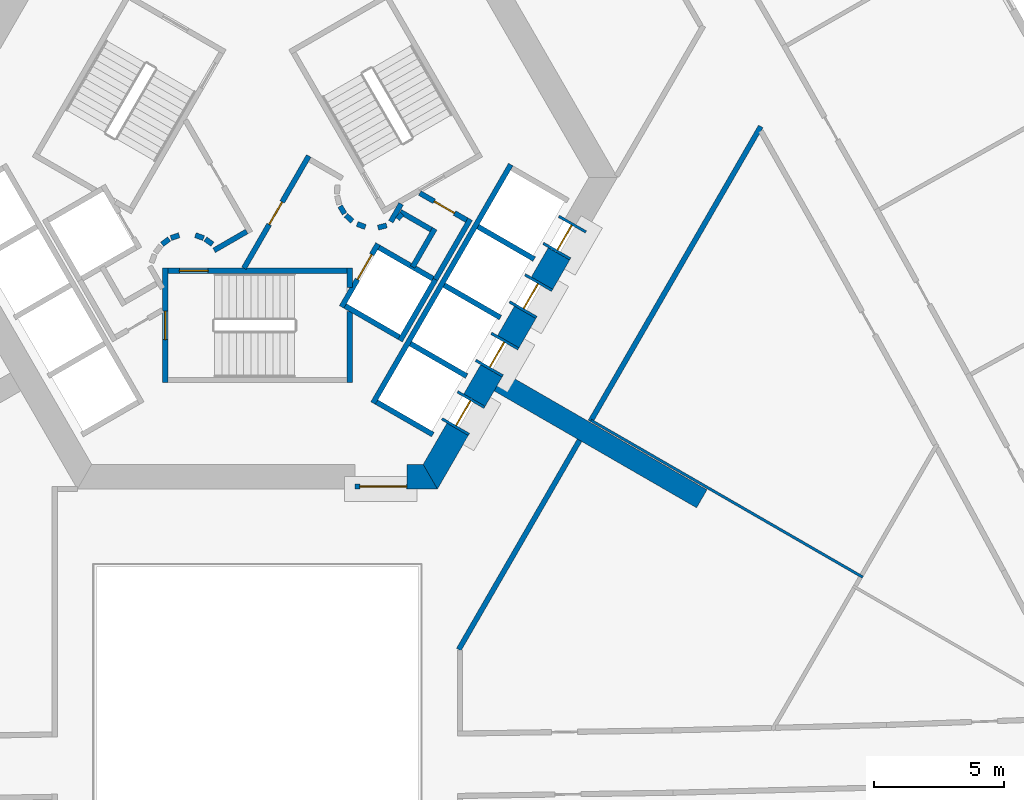
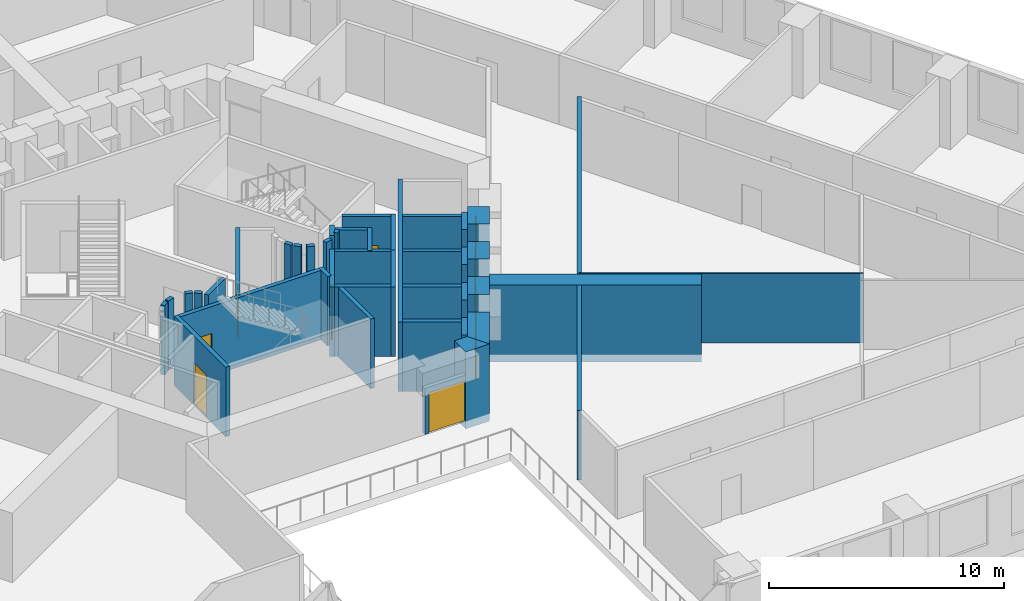
# One storey, part 6 of 15: 43 walls, 10 doors, 10 openings.
"""IFC4 building model written with IfcOpenShell, lengths in metres."""

from ifc_helpers import new_model, si_unit, direction, frame, frame_2d, origin, place, context, subcontext, project, spatial, polyline, rectangle, outline, extrude, material, layer, layer_set, type_object, element, fill, save


model = new_model("IFC4")

# Units and contexts
model_context = context("Model", 3, precision=1e-05, world=origin(), true_north=direction((0.0, 1.0)))
body_context = subcontext(model_context, "Body", "Model", "MODEL_VIEW")
ifc_project = project(units=[si_unit("LENGTHUNIT", "METRE"), si_unit("AREAUNIT", "SQUARE_METRE"), si_unit("VOLUMEUNIT", "CUBIC_METRE"), si_unit("PLANEANGLEUNIT", "RADIAN"), si_unit("MASSUNIT", "GRAM", prefix="KILO")], contexts=[model_context])

# Site, building, storey
site_placement = place(None, origin())
site = spatial("IfcSite", under=ifc_project, at=site_placement, CompositionType="ELEMENT")
building_placement = place(site_placement, origin())
building = spatial("IfcBuilding", under=site, at=building_placement, Name="Entoto Arch Interchange Tower", CompositionType="ELEMENT")
storey_placement = place(building_placement, frame((0.0, 0.0, 77.0)))
storey = spatial("IfcBuildingStorey", under=building, at=storey_placement, Name="L16", CompositionType="ELEMENT", Elevation=77.0)

# Wall
ifc_material_1 = material(Name="Concrete C60/75", Category="concrete")
ifc_layer_1 = layer(ifc_material_1, 0.800048828125)
ifc_layer_set_1 = layer_set([ifc_layer_1], Name="Concrete C60/75")
wall_type_1 = type_object("IfcWallType", Name="Buttress wall 800 C60/75", PredefinedType="SHEAR", material=ifc_layer_set_1)
wall_1_placement = place(storey_placement, frame((9.31005859375, -5.375, -0.39990234375), z_axis=(0.0, 0.0, 1.0), x_axis=(0.866017533419, -0.500013631625, 0.0)))
element("IfcWall", 1, at=wall_1_placement, inside=storey, type_object=wall_type_1, Name="Buttress wall SE L16", PredefinedType="SHEAR", context=body_context, shape_type="SweptSolid", body=[
    extrude(rectangle(XDim=8.999755859375, YDim=0.800048828125, at=frame_2d((4.5, 0.0))), origin(), (0.0, 0.0, 1.0), 4.0),
])

# Wall, opening, door
ifc_material_2 = material(Name="Reinforced concrete C40/50", Category="concrete")
ifc_layer_2 = layer(ifc_material_2, 0.199951171875)
ifc_layer_set_2 = layer_set([ifc_layer_2], Name="Reinforced concrete C40/50")
wall_type_2 = type_object("IfcWallType", Name="CORE GAP INFILL WALL", PredefinedType="PARTITIONING", material=ifc_layer_set_2)
wall_2_placement = place(storey_placement, frame((3.75, -9.39990234375, 0.0), z_axis=(0.0, 0.0, 1.0), x_axis=(1.0, 0.0, 0.0)))
wall_2 = element("IfcWall", 2, at=wall_2_placement, inside=storey, type_object=wall_type_2, Name="wall:L16:gap1", PredefinedType="PARTITIONING", context=body_context, shape_type="SweptSolid", body=[
    extrude(rectangle(XDim=2.0, YDim=0.199951171875, at=frame_2d((1.0, 0.0))), origin(), (0.0, 0.0, 1.0), 2.39990234375),
])
opening_1_placement = place(wall_2_placement, frame((0.18994140625, 0.0, 0.0)))
opening_1 = element("IfcOpeningElement", 3, at=opening_1_placement, cuts=wall_2, Name="Opening L16-D91", PredefinedType="OPENING", context=body_context, shape_type="SweptSolid", body=[
    extrude(rectangle(XDim=1.800048828125, YDim=2.10009765625, at=frame_2d((0.89990234375, 1.050048828125))), frame((0.0, 0.10986328125, 0.0), z_axis=(0.0, -1.0, 0.0), x_axis=(1.0, 0.0, 0.0)), (0.0, 0.0, 1.0), 0.219970703125),
])
ifc_material_3 = material(Name="Fire-rated Steel S235 door and frame", Category="steel")
door_type_1 = type_object("IfcDoorType", Name="DOOR FD-18 1800x2100", OperationType="DOUBLE_DOOR_SINGLE_SWING", PredefinedType="DOOR", material=ifc_material_3)
door_1_placement = place(opening_1_placement, origin())
door_1 = element("IfcDoor", 4, at=door_1_placement, inside=storey, type_object=door_type_1, Name="door:L16:gap1", OperationType="DOUBLE_DOOR_SINGLE_SWING", OverallHeight=2.10009765625, OverallWidth=1.800048828125, PredefinedType="DOOR", context=body_context, shape_type="SweptSolid", body=[
    extrude(rectangle(XDim=1.800048828125, YDim=2.10009765625, at=frame_2d((0.89990234375, 1.050048828125))), frame((0.0, 0.02490234375, 0.0), z_axis=(0.0, -1.0, 0.0), x_axis=(1.0, 0.0, 0.0)), (0.0, 0.0, 1.0), 0.050048828125),
])
fill(opening_1, door_1)

# Walls
ifc_layer_3 = layer(ifc_material_1, 0.949951171875)
ifc_layer_set_3 = layer_set([ifc_layer_3], Name="Concrete C60/75")
wall_type_3 = type_object("IfcWallType", Name="Core wall 950 C60/75", PredefinedType="SHEAR", material=ifc_layer_set_3)
wall_3_placement = place(storey_placement, frame((0.0, 0.0, -0.39990234375)))
element("IfcWall", 5, at=wall_3_placement, inside=storey, type_object=wall_type_3, Name="Core wall S L16", PredefinedType="SHEAR", context=body_context, shape_type="SweptSolid", body=[
    extrude(outline(polyline([(5.75, -8.550048828125), (5.75, -9.5), (6.927978515625, -9.5), (6.3798828125, -8.550048828125), (5.75, -8.550048828125)])), origin(), (0.0, 0.0, 1.0), 4.0),
])
wall_4_placement = place(storey_placement, frame((0.0, 0.0, -0.39990234375)))
element("IfcWall", 6, at=wall_4_placement, inside=storey, type_object=wall_type_3, Name="Core wall SE L16", PredefinedType="SHEAR", context=body_context, shape_type="SweptSolid", body=[
    extrude(outline(polyline([(8.116943359375, -7.43994140625), (7.294921875, -6.965087890625), (6.3798828125, -8.550048828125), (6.927978515625, -9.5), (8.116943359375, -7.43994140625)])), origin(), (0.0, 0.0, 1.0), 4.0),
])
wall_5_placement = place(storey_placement, frame((0.0, 0.0, -0.39990234375)))
element("IfcWall", 7, at=wall_5_placement, inside=storey, type_object=wall_type_3, Name="Core wall SE L16", PredefinedType="SHEAR", context=body_context, shape_type="SweptSolid", body=[
    extrude(outline(polyline([(9.4169921875, -5.18896484375), (8.593994140625, -4.714111328125), (7.945068359375, -5.839111328125), (8.76708984375, -6.31396484375), (9.4169921875, -5.18896484375)])), origin(), (0.0, 0.0, 1.0), 4.0),
])
wall_6_placement = place(storey_placement, frame((0.0, 0.0, -0.39990234375)))
element("IfcWall", 8, at=wall_6_placement, inside=storey, type_object=wall_type_3, Name="Core wall SE L16", PredefinedType="SHEAR", context=body_context, shape_type="SweptSolid", body=[
    extrude(outline(polyline([(10.717041015625, -2.93701171875), (9.89404296875, -2.4619140625), (9.243896484375, -3.587890625), (10.06689453125, -4.06298828125), (10.717041015625, -2.93701171875)])), origin(), (0.0, 0.0, 1.0), 4.0),
])
wall_7_placement = place(storey_placement, frame((0.0, 0.0, -0.39990234375)))
element("IfcWall", 9, at=wall_7_placement, inside=storey, type_object=wall_type_3, Name="Core wall SE L16", PredefinedType="SHEAR", context=body_context, shape_type="SweptSolid", body=[
    extrude(outline(polyline([(12.01708984375, -0.68603515625), (11.194091796875, -0.2109375), (10.5439453125, -1.3359375), (11.366943359375, -1.81103515625), (12.01708984375, -0.68603515625)])), origin(), (0.0, 0.0, 1.0), 4.0),
])

# Wall, opening, door
ifc_material_4 = material(Name="Concrete C40/50", Category="concrete")
ifc_layer_4 = layer(ifc_material_4, 1.199951171875)
ifc_layer_set_4 = layer_set([ifc_layer_4], Name="Concrete C40/50")
wall_type_4 = type_object("IfcWallType", Name="LIFT LANDING INFILL WALL", PredefinedType="STANDARD", material=ifc_layer_set_4)
wall_8_placement = place(storey_placement, frame((7.597900390625, -7.139892578125, 0.0), z_axis=(0.0, 0.0, 1.0), x_axis=(0.500362116554, 0.865816234728, 0.0)))
wall_8 = element("IfcWall", 10, at=wall_8_placement, inside=storey, type_object=wall_type_4, Name="Lift landing infill wall LR5 L16", PredefinedType="STANDARD", context=body_context, shape_type="SweptSolid", body=[
    extrude(rectangle(XDim=1.29931640625, YDim=1.199951171875, at=frame_2d((0.649658203125, 0.0))), origin(), (0.0, 0.0, 1.0), 2.39990234375),
])
opening_2_placement = place(wall_8_placement, frame((0.10009765625, 0.0, 0.0)))
opening_2 = element("IfcOpeningElement", 11, at=opening_2_placement, cuts=wall_8, Name="Opening LD-LR5-L16", PredefinedType="OPENING", context=body_context, shape_type="SweptSolid", body=[
    extrude(rectangle(XDim=1.10009765625, YDim=2.300048828125, at=frame_2d((0.550048828125, 1.14990234375))), frame((0.0, 0.60986328125, 0.0), z_axis=(0.0, -1.0, 0.0), x_axis=(1.0, 0.0, 0.0)), (0.0, 0.0, 1.0), 1.219970703125),
])
ifc_material_5 = material(Name="Stainless steel 1.4301 panels", Category="steel")
door_type_2 = type_object("IfcDoorType", Name="LIFT LANDING DOOR LD2 1100x2300", OperationType="SLIDING_TO_LEFT", PredefinedType="DOOR", material=ifc_material_5)
door_2_placement = place(opening_2_placement, origin())
door_2 = element("IfcDoor", 12, at=door_2_placement, inside=storey, type_object=door_type_2, Name="Lift landing door LR5 L16", OperationType="SLIDING_TO_LEFT", OverallHeight=2.300048828125, OverallWidth=1.10009765625, PredefinedType="DOOR", context=body_context, shape_type="SweptSolid", body=[
    extrude(rectangle(XDim=1.10009765625, YDim=2.300048828125, at=frame_2d((0.550048828125, 1.14990234375))), frame((0.0, 0.02490234375, 0.0), z_axis=(0.0, -1.0, 0.0), x_axis=(1.0, 0.0, 0.0)), (0.0, 0.0, 1.0), 0.050048828125),
])
fill(opening_2, door_2)

wall_9_placement = place(storey_placement, frame((8.89794921875, -4.888916015625, 0.0), z_axis=(0.0, 0.0, 1.0), x_axis=(0.500036693733, 0.866004217611, 0.0)))
wall_9 = element("IfcWall", 13, at=wall_9_placement, inside=storey, type_object=wall_type_4, Name="Lift landing infill wall LR6 L16", PredefinedType="STANDARD", context=body_context, shape_type="SweptSolid", body=[
    extrude(rectangle(XDim=1.30029296875, YDim=1.199951171875, at=frame_2d((0.650146484375, 0.0))), origin(), (0.0, 0.0, 1.0), 2.39990234375),
])
opening_3_placement = place(wall_9_placement, frame((0.10009765625, 0.0, 0.0)))
opening_3 = element("IfcOpeningElement", 14, at=opening_3_placement, cuts=wall_9, Name="Opening LD-LR6-L16", PredefinedType="OPENING", context=body_context, shape_type="SweptSolid", body=[
    extrude(rectangle(XDim=1.10009765625, YDim=2.300048828125, at=frame_2d((0.550048828125, 1.14990234375))), frame((0.0, 0.60986328125, 0.0), z_axis=(0.0, -1.0, 0.0), x_axis=(1.0, 0.0, 0.0)), (0.0, 0.0, 1.0), 1.219970703125),
])
door_3_placement = place(opening_3_placement, origin())
door_3 = element("IfcDoor", 15, at=door_3_placement, inside=storey, type_object=door_type_2, Name="Lift landing door LR6 L16", OperationType="SLIDING_TO_LEFT", OverallHeight=2.300048828125, OverallWidth=1.10009765625, PredefinedType="DOOR", context=body_context, shape_type="SweptSolid", body=[
    extrude(rectangle(XDim=1.10009765625, YDim=2.300048828125, at=frame_2d((0.550048828125, 1.14990234375))), frame((0.0, 0.02490234375, 0.0), z_axis=(0.0, -1.0, 0.0), x_axis=(1.0, 0.0, 0.0)), (0.0, 0.0, 1.0), 0.050048828125),
])
fill(opening_3, door_3)

wall_10_placement = place(storey_placement, frame((10.197998046875, -2.636962890625, 0.0), z_axis=(0.0, 0.0, 1.0), x_axis=(0.49989585183, 0.866085525409, 0.0)))
wall_10 = element("IfcWall", 16, at=wall_10_placement, inside=storey, type_object=wall_type_4, Name="Lift landing infill wall LR7 L16", PredefinedType="STANDARD", context=body_context, shape_type="SweptSolid", body=[
    extrude(rectangle(XDim=1.300048828125, YDim=1.199951171875, at=frame_2d((0.64990234375, 0.0))), origin(), (0.0, 0.0, 1.0), 2.39990234375),
])
opening_4_placement = place(wall_10_placement, frame((0.10009765625, 0.0, 0.0)))
opening_4 = element("IfcOpeningElement", 17, at=opening_4_placement, cuts=wall_10, Name="Opening LD-LR7-L16", PredefinedType="OPENING", context=body_context, shape_type="SweptSolid", body=[
    extrude(rectangle(XDim=1.10009765625, YDim=2.300048828125, at=frame_2d((0.550048828125, 1.14990234375))), frame((0.0, 0.60986328125, 0.0), z_axis=(0.0, -1.0, 0.0), x_axis=(1.0, 0.0, 0.0)), (0.0, 0.0, 1.0), 1.219970703125),
])
door_4_placement = place(opening_4_placement, origin())
door_4 = element("IfcDoor", 18, at=door_4_placement, inside=storey, type_object=door_type_2, Name="Lift landing door LR7 L16", OperationType="SLIDING_TO_LEFT", OverallHeight=2.300048828125, OverallWidth=1.10009765625, PredefinedType="DOOR", context=body_context, shape_type="SweptSolid", body=[
    extrude(rectangle(XDim=1.10009765625, YDim=2.300048828125, at=frame_2d((0.550048828125, 1.14990234375))), frame((0.0, 0.02490234375, 0.0), z_axis=(0.0, -1.0, 0.0), x_axis=(1.0, 0.0, 0.0)), (0.0, 0.0, 1.0), 0.050048828125),
])
fill(opening_4, door_4)

wall_11_placement = place(storey_placement, frame((11.498046875, -0.385009765625, 0.0), z_axis=(0.0, 0.0, 1.0), x_axis=(0.500221244143, 0.865897630733, 0.0)))
wall_11 = element("IfcWall", 19, at=wall_11_placement, inside=storey, type_object=wall_type_4, Name="Lift landing infill wall LR8 L16", PredefinedType="STANDARD", context=body_context, shape_type="SweptSolid", body=[
    extrude(rectangle(XDim=1.29931640625, YDim=1.199951171875, at=frame_2d((0.649658203125, 0.0))), origin(), (0.0, 0.0, 1.0), 2.39990234375),
])
opening_5_placement = place(wall_11_placement, frame((0.10009765625, 0.0, 0.0)))
opening_5 = element("IfcOpeningElement", 20, at=opening_5_placement, cuts=wall_11, Name="Opening LD-LR8-L16", PredefinedType="OPENING", context=body_context, shape_type="SweptSolid", body=[
    extrude(rectangle(XDim=1.10009765625, YDim=2.300048828125, at=frame_2d((0.550048828125, 1.14990234375))), frame((0.0, 0.60986328125, 0.0), z_axis=(0.0, -1.0, 0.0), x_axis=(1.0, 0.0, 0.0)), (0.0, 0.0, 1.0), 1.219970703125),
])
door_5_placement = place(opening_5_placement, origin())
door_5 = element("IfcDoor", 21, at=door_5_placement, inside=storey, type_object=door_type_2, Name="Lift landing door LR8 L16", OperationType="SLIDING_TO_LEFT", OverallHeight=2.300048828125, OverallWidth=1.10009765625, PredefinedType="DOOR", context=body_context, shape_type="SweptSolid", body=[
    extrude(rectangle(XDim=1.10009765625, YDim=2.300048828125, at=frame_2d((0.550048828125, 1.14990234375))), frame((0.0, 0.02490234375, 0.0), z_axis=(0.0, -1.0, 0.0), x_axis=(1.0, 0.0, 0.0)), (0.0, 0.0, 1.0), 0.050048828125),
])
fill(opening_5, door_5)

ifc_layer_5 = layer(ifc_material_4, 0.199951171875)
ifc_layer_set_5 = layer_set([ifc_layer_5], Name="Concrete C40/50")
wall_type_5 = type_object("IfcWallType", Name="LIFT SHAFT WALL 200", PredefinedType="STANDARD", material=ifc_layer_set_5)
wall_12_placement = place(storey_placement, frame((3.239990234375, -2.488037109375, 0.0), z_axis=(0.0, 0.0, 1.0), x_axis=(0.49994636267, 0.866056369097, 0.0)))
wall_12 = element("IfcWall", 22, at=wall_12_placement, inside=storey, type_object=wall_type_5, Name="Shaft wall SE1 front", PredefinedType="STANDARD", context=body_context, shape_type="SweptSolid", body=[
    extrude(rectangle(XDim=2.800048828125, YDim=0.199951171875, at=frame_2d((1.39990234375, 0.0))), origin(), (0.0, 0.0, 1.0), 3.60009765625),
])
opening_6_placement = place(wall_12_placement, frame((1.22509765625, 0.0, 0.0)))
opening_6 = element("IfcOpeningElement", 23, at=opening_6_placement, cuts=wall_12, Name="Opening LD-FF1-L16", PredefinedType="OPENING", context=body_context, shape_type="SweptSolid", body=[
    extrude(rectangle(XDim=1.10009765625, YDim=2.10009765625, at=frame_2d((0.550048828125, 1.050048828125))), frame((0.0, 0.10986328125, 0.0), z_axis=(0.0, -1.0, 0.0), x_axis=(1.0, 0.0, 0.0)), (0.0, 0.0, 1.0), 0.219970703125),
])
door_type_3 = type_object("IfcDoorType", Name="LIFT LANDING DOOR LD1 1100x2100", OperationType="SLIDING_TO_LEFT", PredefinedType="DOOR", material=ifc_material_5)
door_6_placement = place(opening_6_placement, origin())
door_6 = element("IfcDoor", 24, at=door_6_placement, inside=storey, type_object=door_type_3, Name="Lift landing door FF1 L16", OperationType="SLIDING_TO_LEFT", OverallHeight=2.10009765625, OverallWidth=1.10009765625, PredefinedType="DOOR", context=body_context, shape_type="SweptSolid", body=[
    extrude(rectangle(XDim=1.10009765625, YDim=2.10009765625, at=frame_2d((0.550048828125, 1.050048828125))), frame((0.0, 0.02490234375, 0.0), z_axis=(0.0, -1.0, 0.0), x_axis=(1.0, 0.0, 0.0)), (0.0, 0.0, 1.0), 0.050048828125),
])
fill(opening_6, door_6)

# Walls
wall_13_placement = place(storey_placement, frame((5.491943359375, -3.7880859375, 0.0), z_axis=(0.0, 0.0, 1.0), x_axis=(0.500011755427, 0.866018616679, 0.0)))
element("IfcWall", 25, at=wall_13_placement, inside=storey, type_object=wall_type_5, Name="Shaft wall SE1 back", PredefinedType="STANDARD", context=body_context, shape_type="SweptSolid", body=[
    extrude(rectangle(XDim=2.80029296875, YDim=0.199951171875, at=frame_2d((1.400146484375, 0.0))), origin(), (0.0, 0.0, 1.0), 3.60009765625),
])
wall_14_placement = place(storey_placement, frame((3.376953125, -2.451904296875, 0.0), z_axis=(0.0, 0.0, 1.0), x_axis=(0.865955154139, -0.50012165622, 0.0)))
element("IfcWall", 26, at=wall_14_placement, inside=storey, type_object=wall_type_5, Name="Shaft wall SE1 cross 1", PredefinedType="STANDARD", context=body_context, shape_type="SweptSolid", body=[
    extrude(rectangle(XDim=2.39990234375, YDim=0.199951171875, at=frame_2d((1.199951171875, 0.0))), origin(), (0.0, 0.0, 1.0), 3.60009765625),
])
wall_15_placement = place(storey_placement, frame((4.677001953125, -0.199951171875, 0.0), z_axis=(0.0, 0.0, 1.0), x_axis=(0.865973769406, -0.500089422704, 0.0)))
element("IfcWall", 27, at=wall_15_placement, inside=storey, type_object=wall_type_5, Name="Shaft wall SE1 cross 2", PredefinedType="STANDARD", context=body_context, shape_type="SweptSolid", body=[
    extrude(rectangle(XDim=2.3994140625, YDim=0.199951171875, at=frame_2d((1.19970703125, 0.0))), origin(), (0.0, 0.0, 1.0), 3.60009765625),
])
wall_16_placement = place(storey_placement, frame((4.450927734375, -6.18994140625, 0.0), z_axis=(0.0, 0.0, 1.0), x_axis=(0.50000090737, 0.866024879913, 0.0)))
element("IfcWall", 28, at=wall_16_placement, inside=storey, type_object=wall_type_5, Name="Shaft wall SE3 front", PredefinedType="STANDARD", context=body_context, shape_type="SweptSolid", body=[
    extrude(rectangle(XDim=10.60009765625, YDim=0.199951171875, at=frame_2d((5.300048828125, 0.0))), origin(), (0.0, 0.0, 1.0), 3.60009765625),
])
for number, where, z_axis, x_axis, name in (
    (29, (4.587890625, -6.153076171875, 0.0), (0.0, 0.0, 1.0), (0.866022959057, -0.500004234368, 0.0), "Shaft wall SE3 cross 1"),
    (30, (5.887939453125, -3.902099609375, 0.0), (0.0, 0.0, 1.0), (0.866022959057, -0.500004234368, 0.0), "Shaft wall SE3 cross 2"),
    (31, (7.18798828125, -1.64990234375, 0.0), (0.0, 0.0, 1.0), (0.866022959057, -0.500004234368, 0.0), "Shaft wall SE3 cross 3"),
    (32, (8.488037109375, 0.60205078125, 0.0), (0.0, 0.0, 1.0), (0.866022959057, -0.500004234368, 0.0), "Shaft wall SE3 cross 4"),
):
    element("IfcWall", number, at=place(storey_placement, frame(where, z_axis=z_axis, x_axis=x_axis)), inside=storey, type_object=wall_type_5, Name=name, PredefinedType="STANDARD", context=body_context, shape_type="SweptSolid", body=[
        extrude(rectangle(XDim=2.5, YDim=0.199951171875, at=frame_2d((1.25, 0.0))), origin(), (0.0, 0.0, 1.0), 3.60009765625),
    ])
ifc_material_6 = material(Name="Gypsum board partition on steel studs", Category="steel")
ifc_layer_6 = layer(ifc_material_6, 0.10009765625)
ifc_layer_set_6 = layer_set([ifc_layer_6], Name="Gypsum board partition on steel studs")
wall_type_6 = type_object("IfcWallType", Name="PARTITION 100", PredefinedType="PARTITIONING", material=ifc_layer_set_6)
wall_17_placement = place(storey_placement, frame((12.843017578125, -6.85498046875, 0.0), z_axis=(0.0, 0.0, 1.0), x_axis=(0.866054959007, -0.499948805358, 0.0)))
element("IfcWall", 33, at=wall_17_placement, inside=storey, type_object=wall_type_6, Name="wall:L16:p127", PredefinedType="PARTITIONING", context=body_context, shape_type="SweptSolid", body=[
    extrude(rectangle(XDim=12.075439453125, YDim=0.10009765625, at=frame_2d((6.03759765625, 0.0))), origin(), (0.0, 0.0, 1.0), 3.60009765625),
])
ifc_layer_7 = layer(ifc_material_6, 0.199951171875)
ifc_layer_set_7 = layer_set([ifc_layer_7], Name="Gypsum board partition on steel studs")
wall_type_7 = type_object("IfcWallType", Name="PARTITION 200", PredefinedType="PARTITIONING", material=ifc_layer_set_7)
wall_18_placement = place(storey_placement, frame((5.389892578125, 0.89794921875, 0.0), z_axis=(0.0, 0.0, 1.0), x_axis=(0.673828488714, 0.738887791073, 0.0)))
element("IfcWall", 34, at=wall_18_placement, inside=storey, type_object=wall_type_7, Name="wall:L16:p079", PredefinedType="PARTITIONING", context=body_context, shape_type="SweptSolid", body=[
    extrude(rectangle(XDim=0.2626953125, YDim=0.199951171875, at=frame_2d((0.13134765625, 0.0))), origin(), (0.0, 0.0, 1.0), 3.60009765625),
])
wall_19_placement = place(storey_placement, frame((5.4990234375, 1.172119140625, 0.0), z_axis=(0.0, 0.0, 1.0), x_axis=(0.866333505267, -0.499465972466, 0.0)))
element("IfcWall", 35, at=wall_19_placement, inside=storey, type_object=wall_type_7, Name="wall:L16:p080", PredefinedType="PARTITIONING", context=body_context, shape_type="SweptSolid", body=[
    extrude(rectangle(XDim=1.37353515625, YDim=0.199951171875, at=frame_2d((0.686767578125, 0.0))), origin(), (0.0, 0.0, 1.0), 3.60009765625),
])
wall_20_placement = place(storey_placement, frame((6.825927734375, 0.52197265625, 0.0), z_axis=(0.0, 0.0, 1.0), x_axis=(-0.500016722714, -0.866015748706, 0.0)))
element("IfcWall", 36, at=wall_20_placement, inside=storey, type_object=wall_type_7, Name="wall:L16:p081", PredefinedType="PARTITIONING", context=body_context, shape_type="SweptSolid", body=[
    extrude(rectangle(XDim=1.69970703125, YDim=0.199951171875, at=frame_2d((0.849853515625, 0.0))), origin(), (0.0, 0.0, 1.0), 3.60009765625),
])

# Wall, opening, door
wall_21_placement = place(storey_placement, frame((6.25, 1.89404296875, 0.0), z_axis=(0.0, 0.0, 1.0), x_axis=(0.866043184279, -0.499969202016, 0.0)))
wall_21 = element("IfcWall", 37, at=wall_21_placement, inside=storey, type_object=wall_type_7, Name="wall:L16:p082", PredefinedType="PARTITIONING", context=body_context, shape_type="SweptSolid", body=[
    extrude(rectangle(XDim=2.084228515625, YDim=0.199951171875, at=frame_2d((1.0419921875, 0.0))), origin(), (0.0, 0.0, 1.0), 3.60009765625),
])
opening_7_placement = place(wall_21_placement, frame((0.64208984375, 0.0, 0.0)))
opening_7 = element("IfcOpeningElement", 38, at=opening_7_placement, cuts=wall_21, Name="Opening L16-D35", PredefinedType="OPENING", context=body_context, shape_type="SweptSolid", body=[
    extrude(rectangle(XDim=0.89990234375, YDim=2.10009765625, at=frame_2d((0.449951171875, 1.050048828125))), frame((0.0, 0.10986328125, 0.0), z_axis=(0.0, -1.0, 0.0), x_axis=(1.0, 0.0, 0.0)), (0.0, 0.0, 1.0), 0.219970703125),
])
ifc_material_7 = material(Name="Timber door leaf in Steel S235 frame", Category="steel")
door_type_4 = type_object("IfcDoorType", Name="DOOR DS-09 900x2100", OperationType="SINGLE_SWING_LEFT", PredefinedType="DOOR", material=ifc_material_7)
door_7_placement = place(opening_7_placement, origin())
door_7 = element("IfcDoor", 39, at=door_7_placement, inside=storey, type_object=door_type_4, Name="door:L16:35", OperationType="SINGLE_SWING_LEFT", OverallHeight=2.10009765625, OverallWidth=0.89990234375, PredefinedType="DOOR", context=body_context, shape_type="SweptSolid", body=[
    extrude(rectangle(XDim=0.89990234375, YDim=2.10009765625, at=frame_2d((0.449951171875, 1.050048828125))), frame((0.0, 0.02490234375, 0.0), z_axis=(0.0, -1.0, 0.0), x_axis=(1.0, 0.0, 0.0)), (0.0, 0.0, 1.0), 0.050048828125),
])
fill(opening_7, door_7)

# Walls
wall_22_placement = place(storey_placement, frame((8.19189453125, 0.887939453125, 0.0), z_axis=(0.0, 0.0, 1.0), x_axis=(-0.499940625693, -0.866059680843, 0.0)))
element("IfcWall", 40, at=wall_22_placement, inside=storey, type_object=wall_type_7, Name="wall:L16:p083", PredefinedType="PARTITIONING", context=body_context, shape_type="SweptSolid", body=[
    extrude(rectangle(XDim=2.679931640625, YDim=0.199951171875, at=frame_2d((1.33984375, 0.0))), origin(), (0.0, 0.0, 1.0), 3.60009765625),
])
wall_23_placement = place(storey_placement, frame((5.135009765625, 0.79296875, 0.0), z_axis=(0.0, 0.0, 1.0), x_axis=(0.499526442893, 0.866298639529, 0.0)))
element("IfcWall", 41, at=wall_23_placement, inside=storey, type_object=wall_type_7, Name="wall:L16:p084", PredefinedType="PARTITIONING", context=body_context, shape_type="SweptSolid", body=[
    extrude(rectangle(XDim=0.790771484375, YDim=0.199951171875, at=frame_2d((0.3955078125, 0.0))), origin(), (0.0, 0.0, 1.0), 3.60009765625),
])

# Wall, opening, door
wall_24_placement = place(storey_placement, frame((-0.52001953125, -1.0, 0.0), z_axis=(0.0, 0.0, 1.0), x_axis=(0.50011622646, 0.865958290007, 0.0)))
wall_24 = element("IfcWall", 42, at=wall_24_placement, inside=storey, type_object=wall_type_7, Name="wall:L16:p093", PredefinedType="PARTITIONING", context=body_context, shape_type="SweptSolid", body=[
    extrude(rectangle(XDim=4.990966796875, YDim=0.199951171875, at=frame_2d((2.49560546875, 0.0))), origin(), (0.0, 0.0, 1.0), 3.60009765625),
])
opening_8_placement = place(wall_24_placement, frame((1.945068359375, 0.0, 0.0)))
opening_8 = element("IfcOpeningElement", 43, at=opening_8_placement, cuts=wall_24, Name="Opening L16-D33", PredefinedType="OPENING", context=body_context, shape_type="SweptSolid", body=[
    extrude(rectangle(XDim=1.0, YDim=2.10009765625, at=frame_2d((0.5, 1.050048828125))), frame((0.0, 0.10986328125, 0.0), z_axis=(0.0, -1.0, 0.0), x_axis=(1.0, 0.0, 0.0)), (0.0, 0.0, 1.0), 0.219970703125),
])
door_type_5 = type_object("IfcDoorType", Name="DOOR FD-10 1000x2100", OperationType="SINGLE_SWING_LEFT", PredefinedType="DOOR", material=ifc_material_3)
door_8_placement = place(opening_8_placement, origin())
door_8 = element("IfcDoor", 44, at=door_8_placement, inside=storey, type_object=door_type_5, Name="door:L16:33", OperationType="SINGLE_SWING_LEFT", OverallHeight=2.10009765625, OverallWidth=1.0, PredefinedType="DOOR", context=body_context, shape_type="SweptSolid", body=[
    extrude(rectangle(XDim=1.0, YDim=2.10009765625, at=frame_2d((0.5, 1.050048828125))), frame((0.0, 0.02490234375, 0.0), z_axis=(0.0, -1.0, 0.0), x_axis=(1.0, 0.0, 0.0)), (0.0, 0.0, 1.0), 0.050048828125),
])
fill(opening_8, door_8)

# Walls
for number, where, z_axis, x_axis, name in (
    (45, (3.181884765625, 1.387939453125, 0.0), (0.0, 0.0, 1.0), (0.512474702713, -0.85870232274, 0.0), "wall:L16:p097"),
    (46, (3.404052734375, 1.0390625, 0.0), (0.0, 0.0, 1.0), (0.740267097712, -0.672312891476, 0.0), "wall:L16:p098"),
):
    element("IfcWall", number, at=place(storey_placement, frame(where, z_axis=z_axis, x_axis=x_axis)), inside=storey, type_object=wall_type_7, Name=name, PredefinedType="PARTITIONING", context=body_context, shape_type="SweptSolid", body=[
        extrude(rectangle(XDim=0.337646484375, YDim=0.199951171875, at=frame_2d((0.1689453125, 0.0))), origin(), (0.0, 0.0, 1.0), 3.60009765625),
    ])
wall_25_placement = place(storey_placement, frame((3.837890625, 0.701904296875, 0.0), z_axis=(0.0, 0.0, 1.0), x_axis=(0.941035081519, -0.338308993895, 0.0)))
element("IfcWall", 47, at=wall_25_placement, inside=storey, type_object=wall_type_7, Name="wall:L16:p099", PredefinedType="PARTITIONING", context=body_context, shape_type="SweptSolid", body=[
    extrude(rectangle(XDim=0.3369140625, YDim=0.199951171875, at=frame_2d((0.16845703125, 0.0))), origin(), (0.0, 0.0, 1.0), 3.60009765625),
])
wall_26_placement = place(storey_placement, frame((4.64404296875, 0.56396484375, 0.0), z_axis=(0.0, 0.0, 1.0), x_axis=(0.969929076366, 0.243387729394, 0.0)))
element("IfcWall", 48, at=wall_26_placement, inside=storey, type_object=wall_type_7, Name="wall:L16:p100", PredefinedType="PARTITIONING", context=body_context, shape_type="SweptSolid", body=[
    extrude(rectangle(XDim=0.337158203125, YDim=0.199951171875, at=frame_2d((0.16845703125, 0.0))), origin(), (0.0, 0.0, 1.0), 3.60009765625),
])
wall_27_placement = place(storey_placement, frame((-0.412109375, 0.4140625, 0.0), z_axis=(0.0, 0.0, 1.0), x_axis=(-0.866017369001, -0.500013916395, 0.0)))
element("IfcWall", 49, at=wall_27_placement, inside=storey, type_object=wall_type_7, Name="wall:L16:p102", PredefinedType="PARTITIONING", context=body_context, shape_type="SweptSolid", body=[
    extrude(rectangle(XDim=1.4501953125, YDim=0.199951171875, at=frame_2d((0.72509765625, 0.0))), origin(), (0.0, 0.0, 1.0), 3.60009765625),
])
wall_28_placement = place(storey_placement, frame((-1.73095703125, -0.076904296875, 0.0), z_axis=(0.0, 0.0, 1.0), x_axis=(-0.804311165252, 0.594208338422, 0.0)))
element("IfcWall", 50, at=wall_28_placement, inside=storey, type_object=wall_type_7, Name="wall:L16:p103", PredefinedType="PARTITIONING", context=body_context, shape_type="SweptSolid", body=[
    extrude(rectangle(XDim=0.338134765625, YDim=0.199951171875, at=frame_2d((0.1689453125, 0.0))), origin(), (0.0, 0.0, 1.0), 3.60009765625),
])
wall_29_placement = place(storey_placement, frame((-2.070068359375, 0.159912109375, 0.0), z_axis=(0.0, 0.0, 1.0), x_axis=(-0.942199461132, 0.335052496547, 0.0)))
element("IfcWall", 51, at=wall_29_placement, inside=storey, type_object=wall_type_7, Name="wall:L16:p104", PredefinedType="PARTITIONING", context=body_context, shape_type="SweptSolid", body=[
    extrude(rectangle(XDim=0.33740234375, YDim=0.199951171875, at=frame_2d((0.168701171875, 0.0))), origin(), (0.0, 0.0, 1.0), 3.60009765625),
])
wall_30_placement = place(storey_placement, frame((-3.011962890625, 0.27294921875, 0.0), z_axis=(0.0, 0.0, 1.0), x_axis=(-0.942280615813, -0.334824194261, 0.0)))
element("IfcWall", 52, at=wall_30_placement, inside=storey, type_object=wall_type_7, Name="wall:L16:p105", PredefinedType="PARTITIONING", context=body_context, shape_type="SweptSolid", body=[
    extrude(rectangle(XDim=0.337646484375, YDim=0.199951171875, at=frame_2d((0.1689453125, 0.0))), origin(), (0.0, 0.0, 1.0), 3.60009765625),
])
wall_31_placement = place(storey_placement, frame((-3.39697265625, 0.1240234375, 0.0), z_axis=(0.0, 0.0, 1.0), x_axis=(-0.804311165252, -0.594208338422, 0.0)))
element("IfcWall", 53, at=wall_31_placement, inside=storey, type_object=wall_type_7, Name="wall:L16:p106", PredefinedType="PARTITIONING", context=body_context, shape_type="SweptSolid", body=[
    extrude(rectangle(XDim=0.338134765625, YDim=0.199951171875, at=frame_2d((0.1689453125, 0.0))), origin(), (0.0, 0.0, 1.0), 3.60009765625),
])
wall_32_placement = place(storey_placement, frame((12.39990234375, -7.62109375, 0.0), z_axis=(0.0, 0.0, 1.0), x_axis=(-0.49990497871, -0.866080257402, 0.0)))
element("IfcWall", 54, at=wall_32_placement, inside=storey, type_object=wall_type_7, Name="wall:L16:p116", PredefinedType="PARTITIONING", context=body_context, shape_type="SweptSolid", body=[
    extrude(rectangle(XDim=9.301513671875, YDim=0.199951171875, at=frame_2d((4.65087890625, 0.0))), origin(), (0.0, 0.0, 1.0), 3.60009765625),
])
wall_33_placement = place(storey_placement, frame((19.3740234375, 4.4580078125, 0.0), z_axis=(0.0, 0.0, 1.0), x_axis=(-0.499973880856, -0.866040483154, 0.0)))
element("IfcWall", 55, at=wall_33_placement, inside=storey, type_object=wall_type_7, Name="wall:L16:p117", PredefinedType="PARTITIONING", context=body_context, shape_type="SweptSolid", body=[
    extrude(rectangle(XDim=13.112548828125, YDim=0.199951171875, at=frame_2d((6.55615234375, 0.0))), origin(), (0.0, 0.0, 1.0), 3.60009765625),
])

# Wall, opening, door
ifc_layer_8 = layer(ifc_material_4, 0.199951171875)
ifc_layer_set_8 = layer_set([ifc_layer_8], Name="Concrete C40/50")
wall_type_8 = type_object("IfcWallType", Name="STAIR ENCLOSURE WALL 200", PredefinedType="STANDARD", material=ifc_layer_set_8)
wall_34_placement = place(storey_placement, frame((-3.550048828125, -1.0, 0.0), z_axis=(0.0, 0.0, 1.0), x_axis=(0.0, -1.0, 0.0)))
wall_34 = element("IfcWall", 56, at=wall_34_placement, inside=storey, type_object=wall_type_8, Name="Stair wall ST-S near", PredefinedType="STANDARD", context=body_context, shape_type="SweptSolid", body=[
    extrude(rectangle(XDim=4.39990234375, YDim=0.199951171875, at=frame_2d((2.199951171875, 0.0))), origin(), (0.0, 0.0, 1.0), 3.60009765625),
])
opening_9_placement = place(wall_34_placement, frame((1.64990234375, 0.0, 0.0)))
opening_9 = element("IfcOpeningElement", 57, at=opening_9_placement, cuts=wall_34, Name="Opening SD-ST-S-L16-E", PredefinedType="OPENING", context=body_context, shape_type="SweptSolid", body=[
    extrude(rectangle(XDim=1.10009765625, YDim=2.199951171875, at=frame_2d((0.550048828125, 1.10009765625))), frame((0.0, 0.10986328125, 0.0), z_axis=(0.0, -1.0, 0.0), x_axis=(1.0, 0.0, 0.0)), (0.0, 0.0, 1.0), 0.219970703125),
])
ifc_material_8 = material(Name="Steel S235", Category="steel")
door_type_6 = type_object("IfcDoorType", Name="STAIR DOOR SD1 1100x2200", OperationType="SINGLE_SWING_LEFT", PredefinedType="DOOR", material=ifc_material_8)
door_9_placement = place(opening_9_placement, origin())
door_9 = element("IfcDoor", 58, at=door_9_placement, inside=storey, type_object=door_type_6, Name="Stair door ST-S L16 end", OperationType="SINGLE_SWING_LEFT", OverallHeight=2.199951171875, OverallWidth=1.10009765625, PredefinedType="DOOR", context=body_context, shape_type="SweptSolid", body=[
    extrude(rectangle(XDim=1.10009765625, YDim=2.199951171875, at=frame_2d((0.550048828125, 1.10009765625))), frame((0.0, 0.02490234375, 0.0), z_axis=(0.0, -1.0, 0.0), x_axis=(1.0, 0.0, 0.0)), (0.0, 0.0, 1.0), 0.050048828125),
])
fill(opening_9, door_9)

# Walls
wall_35_placement = place(storey_placement, frame((3.550048828125, -2.6669921875, 0.0), z_axis=(0.0, 0.0, 1.0), x_axis=(0.0, -1.0, 0.0)))
element("IfcWall", 59, at=wall_35_placement, inside=storey, type_object=wall_type_8, Name="Stair wall ST-S far", PredefinedType="STANDARD", context=body_context, shape_type="SweptSolid", body=[
    extrude(rectangle(XDim=2.73291015625, YDim=0.199951171875, at=frame_2d((1.366455078125, 0.0))), origin(), (0.0, 0.0, 1.0), 3.60009765625),
])
wall_36_placement = place(storey_placement, frame((3.550048828125, -1.0, 0.0), z_axis=(0.0, 0.0, 1.0), x_axis=(0.0, -1.0, 0.0)))
element("IfcWall", 60, at=wall_36_placement, inside=storey, type_object=wall_type_8, Name="Stair wall ST-S far return", PredefinedType="STANDARD", context=body_context, shape_type="SweptSolid", body=[
    extrude(rectangle(XDim=0.7509765625, YDim=0.199951171875, at=frame_2d((0.37548828125, 0.0))), origin(), (0.0, 0.0, 1.0), 3.60009765625),
])

# Wall, opening, door
wall_37_placement = place(storey_placement, frame((-3.449951171875, -1.10009765625, 0.0), z_axis=(0.0, 0.0, 1.0), x_axis=(1.0, 0.0, 0.0)))
wall_37 = element("IfcWall", 61, at=wall_37_placement, inside=storey, type_object=wall_type_8, Name="Stair wall ST-S hall", PredefinedType="STANDARD", context=body_context, shape_type="SweptSolid", body=[
    extrude(rectangle(XDim=6.89990234375, YDim=0.199951171875, at=frame_2d((3.449951171875, 0.0))), origin(), (0.0, 0.0, 1.0), 3.60009765625),
])
opening_10_placement = place(wall_37_placement, frame((0.449951171875, 0.0, 0.0)))
opening_10 = element("IfcOpeningElement", 62, at=opening_10_placement, cuts=wall_37, Name="Opening SD-ST-S-L16", PredefinedType="OPENING", context=body_context, shape_type="SweptSolid", body=[
    extrude(rectangle(XDim=1.10009765625, YDim=2.199951171875, at=frame_2d((0.550048828125, 1.10009765625))), frame((0.0, 0.10986328125, 0.0), z_axis=(0.0, -1.0, 0.0), x_axis=(1.0, 0.0, 0.0)), (0.0, 0.0, 1.0), 0.219970703125),
])
door_10_placement = place(opening_10_placement, origin())
door_10 = element("IfcDoor", 63, at=door_10_placement, inside=storey, type_object=door_type_6, Name="Stair door ST-S L16", OperationType="SINGLE_SWING_LEFT", OverallHeight=2.199951171875, OverallWidth=1.10009765625, PredefinedType="DOOR", context=body_context, shape_type="SweptSolid", body=[
    extrude(rectangle(XDim=1.10009765625, YDim=2.199951171875, at=frame_2d((0.550048828125, 1.10009765625))), frame((0.0, 0.02490234375, 0.0), z_axis=(0.0, -1.0, 0.0), x_axis=(1.0, 0.0, 0.0)), (0.0, 0.0, 1.0), 0.050048828125),
])
fill(opening_10, door_10)

save(model, "model.ifc")
